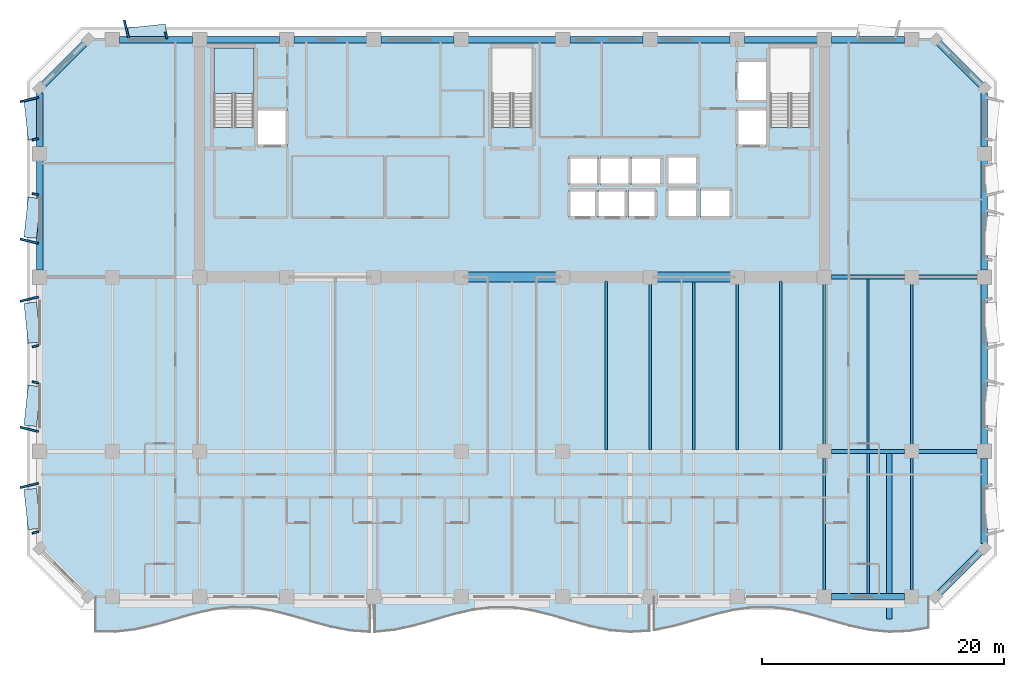
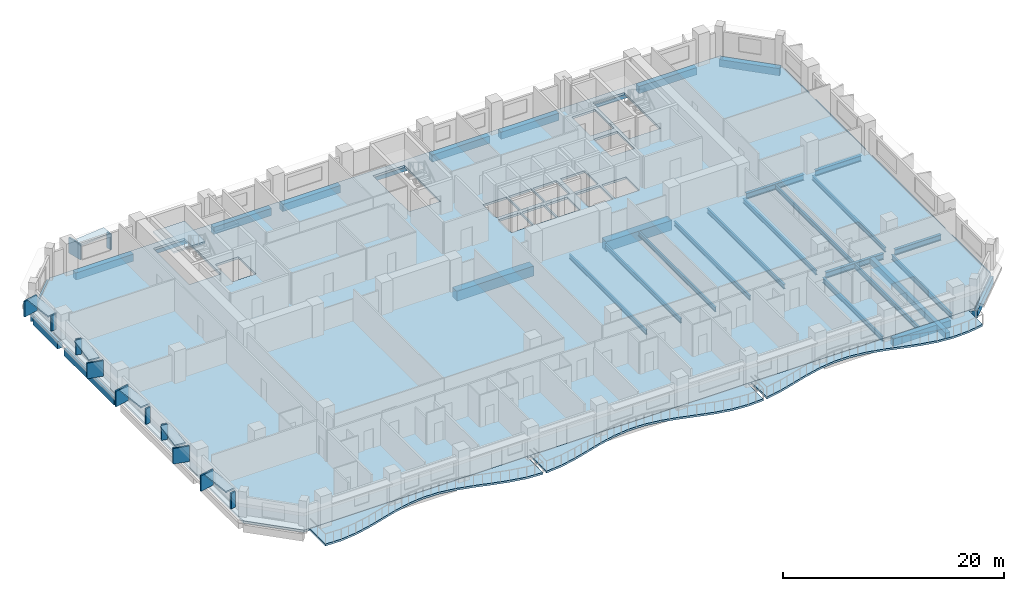
# One storey, part 2 of 15: 37 beams, 18 plates, 5 slabs, 1 element without a shape of its own.
"""IFC4 building model written with IfcOpenShell, lengths in metres."""

from ifc_helpers import new_model, si_unit, direction, frame, origin, origin_2d, place, context, subcontext, project, spatial, polyline, rectangle, i_section, outline, extrude, material, layer, layer_set, material_profile, profile_set, type_object, element, aggregate, save


model = new_model("IFC4")

# Units and contexts
model_context = context("Model", 3, precision=1e-05, world=origin(), true_north=direction((0.0, 1.0)))
body_context = subcontext(model_context, "Body", "Model", "MODEL_VIEW")
ifc_project = project(units=[si_unit("LENGTHUNIT", "METRE"), si_unit("AREAUNIT", "SQUARE_METRE"), si_unit("VOLUMEUNIT", "CUBIC_METRE"), si_unit("PLANEANGLEUNIT", "RADIAN"), si_unit("MASSUNIT", "GRAM", prefix="KILO")], contexts=[model_context])

# Site, building, storey
site_placement = place(None, origin())
site = spatial("IfcSite", under=ifc_project, at=site_placement, CompositionType="ELEMENT")
building_placement = place(site_placement, origin())
building = spatial("IfcBuilding", under=site, at=building_placement, Name="Kaelvorn Grand Hotel", CompositionType="ELEMENT")
storey_placement = place(building_placement, frame((0.0, 0.0, 146.75)))
storey = spatial("IfcBuildingStorey", under=building, at=storey_placement, Name="L35", CompositionType="ELEMENT", Elevation=146.75)

# Beams
ifc_material_1 = material(Name="Steel S355", Category="steel")
ifc_material_profile_1 = material_profile(ifc_material_1, i_section(OverallWidth=0.300048828125, OverallDepth=0.64990234375, WebThickness=0.01611328125, FlangeThickness=0.031005859375, FilletRadius=0.027099609375, at=origin_2d()), Name="HEB 650")
ifc_profile_set_1 = profile_set([ifc_material_profile_1], Name="Steel S355")
beam_type_1 = type_object("IfcBeamType", Name="BM-G-HEB650-S355", PredefinedType="BEAM", material=ifc_profile_set_1)
beam_1_placement = place(storey_placement, frame((68.385009765625, 15.0, -0.56494140625), z_axis=(1.0, 0.0, 0.0), x_axis=(0.0, 1.0, 0.0)))
element("IfcBeam", 1, at=beam_1_placement, inside=storey, type_object=beam_type_1, Name="L35 Primary Spine Steel Girder G-15 06", PredefinedType="BEAM", context=body_context, shape_type="SweptSolid", body=[
    extrude(i_section(OverallWidth=0.300048828125, OverallDepth=0.64990234375, WebThickness=0.01611328125, FlangeThickness=0.031005859375, FilletRadius=0.027099609375, at=origin_2d()), origin(), (0.0, 0.0, 1.0), 6.030029296875),
])
beam_2_placement = place(storey_placement, frame((75.5849609375, 15.0, -0.56494140625), z_axis=(1.0, 0.0, 0.0), x_axis=(0.0, 1.0, 0.0)))
element("IfcBeam", 2, at=beam_2_placement, inside=storey, type_object=beam_type_1, Name="L35 Primary Spine Steel Girder G-15 07", PredefinedType="BEAM", context=body_context, shape_type="SweptSolid", body=[
    extrude(i_section(OverallWidth=0.300048828125, OverallDepth=0.64990234375, WebThickness=0.01611328125, FlangeThickness=0.031005859375, FilletRadius=0.027099609375, at=origin_2d()), origin(), (0.0, 0.0, 1.0), 4.830078125),
])
beam_3_placement = place(storey_placement, frame((68.385009765625, 29.39990234375, -0.56494140625), z_axis=(1.0, 0.0, 0.0), x_axis=(0.0, 1.0, 0.0)))
element("IfcBeam", 3, at=beam_3_placement, inside=storey, type_object=beam_type_1, Name="L35 East Core Wing Steel Girder G-29E 01", PredefinedType="BEAM", context=body_context, shape_type="SweptSolid", body=[
    extrude(i_section(OverallWidth=0.300048828125, OverallDepth=0.64990234375, WebThickness=0.01611328125, FlangeThickness=0.031005859375, FilletRadius=0.027099609375, at=origin_2d()), origin(), (0.0, 0.0, 1.0), 6.030029296875),
])
beam_4_placement = place(storey_placement, frame((75.5849609375, 29.39990234375, -0.56494140625), z_axis=(1.0, 0.0, 0.0), x_axis=(0.0, 1.0, 0.0)))
element("IfcBeam", 4, at=beam_4_placement, inside=storey, type_object=beam_type_1, Name="L35 East Core Wing Steel Girder G-29E 02", PredefinedType="BEAM", context=body_context, shape_type="SweptSolid", body=[
    extrude(i_section(OverallWidth=0.300048828125, OverallDepth=0.64990234375, WebThickness=0.01611328125, FlangeThickness=0.031005859375, FilletRadius=0.027099609375, at=origin_2d()), origin(), (0.0, 0.0, 1.0), 4.830078125),
])
ifc_material_profile_2 = material_profile(ifc_material_1, i_section(OverallWidth=0.199951171875, OverallDepth=0.5, WebThickness=0.01025390625, FlangeThickness=0.01611328125, FilletRadius=0.02099609375, at=origin_2d()), Name="IPE 500")
ifc_profile_set_2 = profile_set([ifc_material_profile_2], Name="Steel S355")
beam_type_2 = type_object("IfcBeamType", Name="BM-J-IPE500-S355", PredefinedType="JOIST", material=ifc_profile_set_2)
beam_5_placement = place(storey_placement, frame((49.800048828125, 15.135009765625, -0.489990234375), z_axis=(0.0, 1.0, 0.0), x_axis=(-1.0, 0.0, 0.0)))
element("IfcBeam", 5, at=beam_5_placement, inside=storey, type_object=beam_type_2, Name="L35 Composite Floor Joist JM-14", PredefinedType="JOIST", context=body_context, shape_type="SweptSolid", body=[
    extrude(i_section(OverallWidth=0.199951171875, OverallDepth=0.5, WebThickness=0.01025390625, FlangeThickness=0.01611328125, FilletRadius=0.02099609375, at=origin_2d()), origin(), (0.0, 0.0, 1.0), 13.925048828125),
])
beam_6_placement = place(storey_placement, frame((53.39990234375, 15.135009765625, -0.489990234375), z_axis=(0.0, 1.0, 0.0), x_axis=(-1.0, 0.0, 0.0)))
element("IfcBeam", 6, at=beam_6_placement, inside=storey, type_object=beam_type_2, Name="L35 Composite Floor Joist JM-15", PredefinedType="JOIST", context=body_context, shape_type="SweptSolid", body=[
    extrude(i_section(OverallWidth=0.199951171875, OverallDepth=0.5, WebThickness=0.01025390625, FlangeThickness=0.01611328125, FilletRadius=0.02099609375, at=origin_2d()), origin(), (0.0, 0.0, 1.0), 13.679931640625),
])
beam_7_placement = place(storey_placement, frame((57.0, 15.135009765625, -0.489990234375), z_axis=(0.0, 1.0, 0.0), x_axis=(-1.0, 0.0, 0.0)))
element("IfcBeam", 7, at=beam_7_placement, inside=storey, type_object=beam_type_2, Name="L35 Composite Floor Joist JM-16", PredefinedType="JOIST", context=body_context, shape_type="SweptSolid", body=[
    extrude(i_section(OverallWidth=0.199951171875, OverallDepth=0.5, WebThickness=0.01025390625, FlangeThickness=0.01611328125, FilletRadius=0.02099609375, at=origin_2d()), origin(), (0.0, 0.0, 1.0), 13.925048828125),
])
beam_8_placement = place(storey_placement, frame((60.60009765625, 15.135009765625, -0.489990234375), z_axis=(0.0, 1.0, 0.0), x_axis=(-1.0, 0.0, 0.0)))
element("IfcBeam", 8, at=beam_8_placement, inside=storey, type_object=beam_type_2, Name="L35 Composite Floor Joist JM-17", PredefinedType="JOIST", context=body_context, shape_type="SweptSolid", body=[
    extrude(i_section(OverallWidth=0.199951171875, OverallDepth=0.5, WebThickness=0.01025390625, FlangeThickness=0.01611328125, FilletRadius=0.02099609375, at=origin_2d()), origin(), (0.0, 0.0, 1.0), 13.679931640625),
])
beam_9_placement = place(storey_placement, frame((64.199951171875, 15.135009765625, -0.489990234375), z_axis=(0.0, 1.0, 0.0), x_axis=(-1.0, 0.0, 0.0)))
element("IfcBeam", 9, at=beam_9_placement, inside=storey, type_object=beam_type_2, Name="L35 Composite Floor Joist JM-18", PredefinedType="JOIST", context=body_context, shape_type="SweptSolid", body=[
    extrude(i_section(OverallWidth=0.199951171875, OverallDepth=0.5, WebThickness=0.01025390625, FlangeThickness=0.01611328125, FilletRadius=0.02099609375, at=origin_2d()), origin(), (0.0, 0.0, 1.0), 13.925048828125),
])
beam_10_placement = place(storey_placement, frame((67.800048828125, 15.5849609375, -0.489990234375), z_axis=(0.0, 1.0, 0.0), x_axis=(-1.0, 0.0, 0.0)))
element("IfcBeam", 10, at=beam_10_placement, inside=storey, type_object=beam_type_2, Name="L35 Composite Floor Joist JM-19", PredefinedType="JOIST", context=body_context, shape_type="SweptSolid", body=[
    extrude(i_section(OverallWidth=0.199951171875, OverallDepth=0.5, WebThickness=0.01025390625, FlangeThickness=0.01611328125, FilletRadius=0.02099609375, at=origin_2d()), origin(), (0.0, 0.0, 1.0), 13.22998046875),
])
beam_11_placement = place(storey_placement, frame((71.39990234375, 15.135009765625, -0.489990234375), z_axis=(0.0, 1.0, 0.0), x_axis=(-1.0, 0.0, 0.0)))
element("IfcBeam", 11, at=beam_11_placement, inside=storey, type_object=beam_type_2, Name="L35 Composite Floor Joist JM-20", PredefinedType="JOIST", context=body_context, shape_type="SweptSolid", body=[
    extrude(i_section(OverallWidth=0.199951171875, OverallDepth=0.5, WebThickness=0.01025390625, FlangeThickness=0.01611328125, FilletRadius=0.02099609375, at=origin_2d()), origin(), (0.0, 0.0, 1.0), 14.1298828125),
])
beam_12_placement = place(storey_placement, frame((75.0, 15.5849609375, -0.489990234375), z_axis=(0.0, 1.0, 0.0), x_axis=(-1.0, 0.0, 0.0)))
element("IfcBeam", 12, at=beam_12_placement, inside=storey, type_object=beam_type_2, Name="L35 Composite Floor Joist JM-21", PredefinedType="JOIST", context=body_context, shape_type="SweptSolid", body=[
    extrude(i_section(OverallWidth=0.199951171875, OverallDepth=0.5, WebThickness=0.01025390625, FlangeThickness=0.01611328125, FilletRadius=0.02099609375, at=origin_2d()), origin(), (0.0, 0.0, 1.0), 13.22998046875),
])
ifc_material_profile_3 = material_profile(ifc_material_1, i_section(OverallWidth=0.2099609375, OverallDepth=0.550048828125, WebThickness=0.010986328125, FlangeThickness=0.01708984375, FilletRadius=0.02392578125, at=origin_2d()), Name="IPE 550")
ifc_profile_set_3 = profile_set([ifc_material_profile_3], Name="Steel S355")
beam_type_3 = type_object("IfcBeamType", Name="BM-J-IPE550-S355", PredefinedType="JOIST", material=ifc_profile_set_3)
beam_13_placement = place(storey_placement, frame((67.800048828125, 3.5849609375, -0.514892578125), z_axis=(0.0, 1.0, 0.0), x_axis=(-1.0, 0.0, 0.0)))
element("IfcBeam", 13, at=beam_13_placement, inside=storey, type_object=beam_type_3, Name="L35 Composite Floor Joist JS-19", PredefinedType="JOIST", context=body_context, shape_type="SweptSolid", body=[
    extrude(i_section(OverallWidth=0.2099609375, OverallDepth=0.550048828125, WebThickness=0.010986328125, FlangeThickness=0.01708984375, FilletRadius=0.02392578125, at=origin_2d()), origin(), (0.0, 0.0, 1.0), 10.830078125),
])
beam_14_placement = place(storey_placement, frame((71.39990234375, 3.260009765625, -0.514892578125), z_axis=(0.0, 1.0, 0.0), x_axis=(-1.0, 0.0, 0.0)))
element("IfcBeam", 14, at=beam_14_placement, inside=storey, type_object=beam_type_3, Name="L35 Composite Floor Joist JS-20", PredefinedType="JOIST", context=body_context, shape_type="SweptSolid", body=[
    extrude(i_section(OverallWidth=0.2099609375, OverallDepth=0.550048828125, WebThickness=0.010986328125, FlangeThickness=0.01708984375, FilletRadius=0.02392578125, at=origin_2d()), origin(), (0.0, 0.0, 1.0), 11.60498046875),
])
beam_15_placement = place(storey_placement, frame((75.0, 3.5849609375, -0.514892578125), z_axis=(0.0, 1.0, 0.0), x_axis=(-1.0, 0.0, 0.0)))
element("IfcBeam", 15, at=beam_15_placement, inside=storey, type_object=beam_type_3, Name="L35 Composite Floor Joist JS-21", PredefinedType="JOIST", context=body_context, shape_type="SweptSolid", body=[
    extrude(i_section(OverallWidth=0.2099609375, OverallDepth=0.550048828125, WebThickness=0.010986328125, FlangeThickness=0.01708984375, FilletRadius=0.02392578125, at=origin_2d()), origin(), (0.0, 0.0, 1.0), 10.830078125),
])
ifc_material_2 = material(Name="Concrete C60/75", Category="concrete")
ifc_material_profile_4 = material_profile(ifc_material_2, rectangle(XDim=0.800048828125, YDim=1.10009765625, at=origin_2d()), Name="RC LINTEL 800x1100")
ifc_profile_set_4 = profile_set([ifc_material_profile_4], Name="Concrete C60/75")
beam_type_4 = type_object("IfcBeamType", Name="BM-LIN-800x1100-C60", PredefinedType="LINTEL", material=ifc_profile_set_4)
beam_16_placement = place(storey_placement, frame((37.97998046875, 29.39990234375, -0.7900390625), z_axis=(1.0, 0.0, 0.0), x_axis=(0.0, 1.0, 0.0)))
element("IfcBeam", 16, at=beam_16_placement, inside=storey, type_object=beam_type_4, Name="L35 Rear-Core Coupling Lintel Beam CB1-02", PredefinedType="LINTEL", context=body_context, shape_type="SweptSolid", body=[
    extrude(rectangle(XDim=0.800048828125, YDim=1.10009765625, at=origin_2d()), origin(), (0.0, 0.0, 1.0), 8.0400390625),
])
beam_17_placement = place(storey_placement, frame((53.580078125, 29.39990234375, -0.7900390625), z_axis=(1.0, 0.0, 0.0), x_axis=(0.0, 1.0, 0.0)))
element("IfcBeam", 17, at=beam_17_placement, inside=storey, type_object=beam_type_4, Name="L35 Rear-Core Coupling Lintel Beam CB1-03", PredefinedType="LINTEL", context=body_context, shape_type="SweptSolid", body=[
    extrude(rectangle(XDim=0.800048828125, YDim=1.10009765625, at=origin_2d()), origin(), (0.0, 0.0, 1.0), 6.83984375),
])
ifc_material_3 = material(Name="Concrete C40/50", Category="concrete")
ifc_material_profile_5 = material_profile(ifc_material_3, rectangle(XDim=0.449951171875, YDim=0.64990234375, at=origin_2d()), Name="RC RIB 450x650")
ifc_profile_set_5 = profile_set([ifc_material_profile_5], Name="Concrete C40/50")
beam_type_5 = type_object("IfcBeamType", Name="BM-RIB-450x650-C40", PredefinedType="SPANDREL", material=ifc_profile_set_5)
beam_18_placement = place(storey_placement, frame((73.161865234375, 1.14990234375, -0.544921875), z_axis=(0.0, 1.0, 0.0), x_axis=(-1.0, 0.0, 0.0)))
element("IfcBeam", 18, at=beam_18_placement, inside=storey, type_object=beam_type_5, Name="L35 Cantilevered Balcony Back-Span Rib RB1-3", PredefinedType="SPANDREL", context=body_context, shape_type="SweptSolid", body=[
    extrude(rectangle(XDim=0.449951171875, YDim=0.64990234375, at=origin_2d()), origin(), (0.0, 0.0, 1.0), 13.715087890625),
])
ifc_material_4 = material(Name="Concrete C50/60", Category="concrete")
ifc_material_profile_6 = material_profile(ifc_material_4, rectangle(XDim=0.550048828125, YDim=0.800048828125, at=origin_2d()), Name="RC SPANDREL 550x800")
ifc_profile_set_6 = profile_set([ifc_material_profile_6], Name="Concrete C50/60")
beam_type_6 = type_object("IfcBeamType", Name="BM-SP-550x800-C50", PredefinedType="SPANDREL", material=ifc_profile_set_6)
for number, where, z_axis, x_axis, name in (
    (19, (68.385009765625, 3.0, -0.639892578125), (1.0, 0.0, 0.0), (0.0, 1.0, 0.0), "L35 South Perimeter Spandrel 10"),
    (20, (9.5849609375, 49.0, -0.639892578125), (1.0, 0.0, 0.0), (0.0, 1.0, 0.0), "L35 North Perimeter Spandrel 02"),
    (21, (16.784912109375, 49.0, -0.639892578125), (1.0, 0.0, 0.0), (0.0, 1.0, 0.0), "L35 North Perimeter Spandrel 03"),
):
    element("IfcBeam", number, at=place(storey_placement, frame(where, z_axis=z_axis, x_axis=x_axis)), inside=storey, type_object=beam_type_6, Name=name, PredefinedType="SPANDREL", context=body_context, shape_type="SweptSolid", body=[
        extrude(rectangle(XDim=0.550048828125, YDim=0.800048828125, at=origin_2d()), origin(), (0.0, 0.0, 1.0), 6.030029296875),
    ])
beam_19_placement = place(storey_placement, frame((23.985107421875, 49.0, -0.639892578125), z_axis=(1.0, 0.0, 0.0), x_axis=(0.0, 1.0, 0.0)))
element("IfcBeam", 22, at=beam_19_placement, inside=storey, type_object=beam_type_6, Name="L35 North Perimeter Spandrel 04", PredefinedType="SPANDREL", context=body_context, shape_type="SweptSolid", body=[
    extrude(rectangle(XDim=0.550048828125, YDim=0.800048828125, at=origin_2d()), origin(), (0.0, 0.0, 1.0), 6.02978515625),
])
beam_20_placement = place(storey_placement, frame((31.18505859375, 49.0, -0.639892578125), z_axis=(1.0, 0.0, 0.0), x_axis=(0.0, 1.0, 0.0)))
element("IfcBeam", 23, at=beam_20_placement, inside=storey, type_object=beam_type_6, Name="L35 North Perimeter Spandrel 05", PredefinedType="SPANDREL", context=body_context, shape_type="SweptSolid", body=[
    extrude(rectangle(XDim=0.550048828125, YDim=0.800048828125, at=origin_2d()), origin(), (0.0, 0.0, 1.0), 6.030029296875),
])
beam_21_placement = place(storey_placement, frame((38.385009765625, 49.0, -0.639892578125), z_axis=(1.0, 0.0, 0.0), x_axis=(0.0, 1.0, 0.0)))
element("IfcBeam", 24, at=beam_21_placement, inside=storey, type_object=beam_type_6, Name="L35 North Perimeter Spandrel 06", PredefinedType="SPANDREL", context=body_context, shape_type="SweptSolid", body=[
    extrude(rectangle(XDim=0.550048828125, YDim=0.800048828125, at=origin_2d()), origin(), (0.0, 0.0, 1.0), 7.22998046875),
])
beam_22_placement = place(storey_placement, frame((46.784912109375, 49.0, -0.639892578125), z_axis=(1.0, 0.0, 0.0), x_axis=(0.0, 1.0, 0.0)))
element("IfcBeam", 25, at=beam_22_placement, inside=storey, type_object=beam_type_6, Name="L35 North Perimeter Spandrel 07", PredefinedType="SPANDREL", context=body_context, shape_type="SweptSolid", body=[
    extrude(rectangle(XDim=0.550048828125, YDim=0.800048828125, at=origin_2d()), origin(), (0.0, 0.0, 1.0), 6.030029296875),
])
beam_23_placement = place(storey_placement, frame((53.985107421875, 49.0, -0.639892578125), z_axis=(1.0, 0.0, 0.0), x_axis=(0.0, 1.0, 0.0)))
element("IfcBeam", 26, at=beam_23_placement, inside=storey, type_object=beam_type_6, Name="L35 North Perimeter Spandrel 08", PredefinedType="SPANDREL", context=body_context, shape_type="SweptSolid", body=[
    extrude(rectangle(XDim=0.550048828125, YDim=0.800048828125, at=origin_2d()), origin(), (0.0, 0.0, 1.0), 6.02978515625),
])
for number, where, z_axis, x_axis, name in (
    (27, (61.18505859375, 49.0, -0.639892578125), (1.0, 0.0, 0.0), (0.0, 1.0, 0.0), "L35 North Perimeter Spandrel 09"),
    (28, (68.385009765625, 49.0, -0.639892578125), (1.0, 0.0, 0.0), (0.0, 1.0, 0.0), "L35 North Perimeter Spandrel 10"),
):
    element("IfcBeam", number, at=place(storey_placement, frame(where, z_axis=z_axis, x_axis=x_axis)), inside=storey, type_object=beam_type_6, Name=name, PredefinedType="SPANDREL", context=body_context, shape_type="SweptSolid", body=[
        extrude(rectangle(XDim=0.550048828125, YDim=0.800048828125, at=origin_2d()), origin(), (0.0, 0.0, 1.0), 6.030029296875),
    ])
beam_24_placement = place(storey_placement, frame((3.0, 29.985107421875, -0.639892578125), z_axis=(0.0, 1.0, 0.0), x_axis=(-1.0, 0.0, 0.0)))
element("IfcBeam", 29, at=beam_24_placement, inside=storey, type_object=beam_type_6, Name="L35 West Perimeter Spandrel 03", PredefinedType="SPANDREL", context=body_context, shape_type="SweptSolid", body=[
    extrude(rectangle(XDim=0.550048828125, YDim=0.800048828125, at=origin_2d()), origin(), (0.0, 0.0, 1.0), 9.02978515625),
])
beam_25_placement = place(storey_placement, frame((3.0, 40.18505859375, -0.639892578125), z_axis=(0.0, 1.0, 0.0), x_axis=(-1.0, 0.0, 0.0)))
element("IfcBeam", 30, at=beam_25_placement, inside=storey, type_object=beam_type_6, Name="L35 West Perimeter Spandrel 04", PredefinedType="SPANDREL", context=body_context, shape_type="SweptSolid", body=[
    extrude(rectangle(XDim=0.550048828125, YDim=0.800048828125, at=origin_2d()), origin(), (0.0, 0.0, 1.0), 4.409912109375),
])
beam_26_placement = place(storey_placement, frame((81.0, 7.405029296875, -0.639892578125), z_axis=(0.0, 1.0, 0.0), x_axis=(-1.0, 0.0, 0.0)))
element("IfcBeam", 31, at=beam_26_placement, inside=storey, type_object=beam_type_6, Name="L35 East Perimeter Spandrel 01", PredefinedType="SPANDREL", context=body_context, shape_type="SweptSolid", body=[
    extrude(rectangle(XDim=0.550048828125, YDim=0.800048828125, at=origin_2d()), origin(), (0.0, 0.0, 1.0), 7.010009765625),
])
beam_27_placement = place(storey_placement, frame((81.0, 15.5849609375, -0.639892578125), z_axis=(0.0, 1.0, 0.0), x_axis=(-1.0, 0.0, 0.0)))
element("IfcBeam", 32, at=beam_27_placement, inside=storey, type_object=beam_type_6, Name="L35 East Perimeter Spandrel 02", PredefinedType="SPANDREL", context=body_context, shape_type="SweptSolid", body=[
    extrude(rectangle(XDim=0.550048828125, YDim=0.800048828125, at=origin_2d()), origin(), (0.0, 0.0, 1.0), 13.22998046875),
])
beam_28_placement = place(storey_placement, frame((81.0, 29.985107421875, -0.639892578125), z_axis=(0.0, 1.0, 0.0), x_axis=(-1.0, 0.0, 0.0)))
element("IfcBeam", 33, at=beam_28_placement, inside=storey, type_object=beam_type_6, Name="L35 East Perimeter Spandrel 03", PredefinedType="SPANDREL", context=body_context, shape_type="SweptSolid", body=[
    extrude(rectangle(XDim=0.550048828125, YDim=0.800048828125, at=origin_2d()), origin(), (0.0, 0.0, 1.0), 9.02978515625),
])
beam_29_placement = place(storey_placement, frame((81.0, 40.18505859375, -0.639892578125), z_axis=(0.0, 1.0, 0.0), x_axis=(-1.0, 0.0, 0.0)))
element("IfcBeam", 34, at=beam_29_placement, inside=storey, type_object=beam_type_6, Name="L35 East Perimeter Spandrel 04", PredefinedType="SPANDREL", context=body_context, shape_type="SweptSolid", body=[
    extrude(rectangle(XDim=0.550048828125, YDim=0.800048828125, at=origin_2d()), origin(), (0.0, 0.0, 1.0), 4.409912109375),
])
for number, where, z_axis, x_axis, name in (
    (35, (77.0, 3.0, -0.639892578125), (0.707106781187, 0.707106781187, 0.0), (-0.707106781187, 0.707106781187, 0.0), "L35 Chamfer Spandrel Beam 1"),
    (36, (81.0, 45.0, -0.639892578125), (-0.707106781187, 0.707106781187, 0.0), (-0.707106781187, -0.707106781187, 0.0), "L35 Chamfer Spandrel Beam 2"),
    (37, (7.0, 49.0, -0.639892578125), (-0.707106781187, -0.707106781187, 0.0), (0.707106781187, -0.707106781187, 0.0), "L35 Chamfer Spandrel Beam 3"),
):
    element("IfcBeam", number, at=place(storey_placement, frame(where, z_axis=z_axis, x_axis=x_axis)), inside=storey, type_object=beam_type_6, Name=name, PredefinedType="SPANDREL", context=body_context, shape_type="SweptSolid", body=[
        extrude(rectangle(XDim=0.550048828125, YDim=0.800048828125, at=origin_2d()), origin(), (0.0, 0.0, 1.0), 5.65673828125),
    ])

# Plates
ifc_material_5 = material(Name="Precast concrete C45/55", Category="concrete")
ifc_layer_1 = layer(ifc_material_5, 0.159912109375)
ifc_layer_set_1 = layer_set([ifc_layer_1], Name="Precast concrete C45/55")
plate_type_1 = type_object("IfcPlateType", Name="PL-FRAME-DEEP-1550", PredefinedType="USERDEFINED", material=ifc_layer_set_1)
for number, where, z_axis, x_axis, name in (
    (38, (2.14501953125, 12.18994140625, 0.81494140625), (0.0, 0.0, 1.0), (-0.233445363856, 0.972369920398, 0.0), "L35 Tilted Precast Window Frame Fin R-W01"),
    (39, (2.14501953125, 16.824951171875, 0.81494140625), (0.0, 0.0, 1.0), (0.233445363856, 0.972369920398, 0.0), "L35 Tilted Precast Window Frame Fin L-W02"),
    (40, (2.14501953125, 27.574951171875, 0.81494140625), (0.0, 0.0, 1.0), (-0.233445363856, 0.972369920398, 0.0), "L35 Tilted Precast Window Frame Fin R-W03"),
    (41, (2.14501953125, 32.360107421875, 0.81494140625), (0.0, 0.0, 1.0), (0.233445363856, 0.972369920398, 0.0), "L35 Tilted Precast Window Frame Fin L-W04"),
    (42, (2.14501953125, 44.054931640625, 0.740234375), (0.0, 0.0, 1.0), (-0.233445363856, 0.972369920398, 0.0), "L35 Tilted Precast Window Frame Fin R-W05"),
    (43, (10.159912109375, 49.85498046875, 0.740234375), (0.0, 0.0, 1.0), (0.972369920398, 0.233445363856, 0.0), "L35 Tilted Precast Window Frame Fin L-N01"),
):
    element("IfcPlate", number, at=place(storey_placement, frame(where, z_axis=z_axis, x_axis=x_axis)), inside=storey, type_object=plate_type_1, Name=name, ObjectType="FLANGE_PLATE", PredefinedType="USERDEFINED", context=body_context, shape_type="SweptSolid", body=[
        extrude(rectangle(XDim=0.159912109375, YDim=1.550048828125, at=origin_2d()), origin(), (0.0, 0.0, 1.0), 1.719970703125),
    ])
ifc_layer_2 = layer(ifc_material_5, 0.159912109375)
ifc_layer_set_2 = layer_set([ifc_layer_2], Name="Precast concrete C45/55")
plate_type_2 = type_object("IfcPlateType", Name="PL-FRAME-HEAD-1050", PredefinedType="USERDEFINED", material=ifc_layer_set_2)
for number, where, z_axis, x_axis, name in (
    (44, (2.39501953125, 10.25, 2.5), (0.0, 0.0, 1.0), (-0.105830199459, 0.994384215926, 0.0), "L35 Precast Window Frame Head Hood H-W01"),
    (45, (2.39501953125, 18.764892578125, 2.5), (0.0, 0.0, 1.0), (0.105830199459, 0.994384215926, 0.0), "L35 Precast Window Frame Head Hood H-W02"),
    (46, (2.39501953125, 25.635009765625, 2.5), (0.0, 0.0, 1.0), (-0.105830199459, 0.994384215926, 0.0), "L35 Precast Window Frame Head Hood H-W03"),
    (47, (2.39501953125, 34.300048828125, 2.5), (0.0, 0.0, 1.0), (0.105830199459, 0.994384215926, 0.0), "L35 Precast Window Frame Head Hood H-W04"),
    (48, (2.39501953125, 42.4150390625, 2.35009765625), (0.0, 0.0, 1.0), (-0.105830199459, 0.994384215926, 0.0), "L35 Precast Window Frame Head Hood H-W05"),
    (49, (11.800048828125, 49.60498046875, 2.35009765625), (0.0, 0.0, 1.0), (0.994384215926, 0.105830199459, 0.0), "L35 Precast Window Frame Head Hood H-N01"),
):
    element("IfcPlate", number, at=place(storey_placement, frame(where, z_axis=z_axis, x_axis=x_axis)), inside=storey, type_object=plate_type_2, Name=name, ObjectType="FLANGE_PLATE", PredefinedType="USERDEFINED", context=body_context, shape_type="SweptSolid", body=[
        extrude(rectangle(XDim=3.320068359375, YDim=1.050048828125, at=origin_2d()), origin(), (0.0, 0.0, 1.0), 0.159912109375),
    ])
ifc_layer_3 = layer(ifc_material_5, 0.159912109375)
ifc_layer_set_3 = layer_set([ifc_layer_3], Name="Precast concrete C45/55")
plate_type_3 = type_object("IfcPlateType", Name="PL-FRAME-SHAL-550", PredefinedType="USERDEFINED", material=ifc_layer_set_3)
for number, where, z_axis, x_axis, name in (
    (50, (2.64501953125, 8.31005859375, 0.81494140625), (0.0, 0.0, 1.0), (-0.233445363856, 0.972369920398, 0.0), "L35 Tilted Precast Window Frame Fin L-W01"),
    (51, (2.64501953125, 20.705078125, 0.81494140625), (0.0, 0.0, 1.0), (0.233445363856, 0.972369920398, 0.0), "L35 Tilted Precast Window Frame Fin R-W02"),
    (52, (2.64501953125, 23.695068359375, 0.81494140625), (0.0, 0.0, 1.0), (-0.233445363856, 0.972369920398, 0.0), "L35 Tilted Precast Window Frame Fin L-W03"),
    (53, (2.64501953125, 36.239990234375, 0.81494140625), (0.0, 0.0, 1.0), (0.233445363856, 0.972369920398, 0.0), "L35 Tilted Precast Window Frame Fin R-W04"),
    (54, (2.64501953125, 40.77490234375, 0.740234375), (0.0, 0.0, 1.0), (-0.233445363856, 0.972369920398, 0.0), "L35 Tilted Precast Window Frame Fin L-W05"),
    (55, (13.43994140625, 49.35498046875, 0.740234375), (0.0, 0.0, 1.0), (0.972369920398, 0.233445363856, 0.0), "L35 Tilted Precast Window Frame Fin R-N01"),
):
    element("IfcPlate", number, at=place(storey_placement, frame(where, z_axis=z_axis, x_axis=x_axis)), inside=storey, type_object=plate_type_3, Name=name, ObjectType="FLANGE_PLATE", PredefinedType="USERDEFINED", context=body_context, shape_type="SweptSolid", body=[
        extrude(rectangle(XDim=0.159912109375, YDim=0.550048828125, at=origin_2d()), origin(), (0.0, 0.0, 1.0), 1.719970703125),
    ])

# Slabs
ifc_layer_4 = layer(ifc_material_3, 0.219970703125)
ifc_layer_set_4 = layer_set([ifc_layer_4], Name="Concrete C40/50")
slab_type_1 = type_object("IfcSlabType", Name="SLB-BALC-220-C40", PredefinedType="FLOOR", material=ifc_layer_set_4)
slab_1_placement = place(storey_placement, frame((0.0, 0.0, -0.219970703125)))
element("IfcSlab", 56, at=slab_1_placement, inside=storey, type_object=slab_type_1, Name="L35 Scalloped Wave Balcony Slab 1", PredefinedType="FLOOR", context=body_context, shape_type="SweptSolid", body=[
    extrude(outline(polyline([(7.60009765625, 0.150146484375), (9.218994140625, 0.112548828125), (10.838134765625, 0.29541015625), (12.45703125, 0.658935546875), (14.076171875, 1.123779296875), (15.6953125, 1.589111328125), (17.314208984375, 1.953125), (18.933349609375, 2.136962890625), (20.552490234375, 2.1005859375), (22.17138671875, 1.8515625), (23.79052734375, 1.4443359375), (25.409423828125, 0.9677734375), (27.028564453125, 0.525390625), (28.647705078125, 0.21337890625), (30.2666015625, 0.10009765625), (30.2666015625, 3.0), (7.60009765625, 3.0), (7.60009765625, 0.150146484375)])), origin(), (0.0, 0.0, 1.0), 0.219970703125),
])
slab_2_placement = place(storey_placement, frame((0.0, 0.0, -0.219970703125)))
element("IfcSlab", 57, at=slab_2_placement, inside=storey, type_object=slab_type_1, Name="L35 Scalloped Wave Balcony Slab 2", PredefinedType="FLOOR", context=body_context, shape_type="SweptSolid", body=[
    extrude(outline(polyline([(30.666748046875, 0.1064453125), (32.28564453125, 0.26953125), (33.90478515625, 0.618896484375), (35.52392578125, 1.078369140625), (37.142822265625, 1.548095703125), (38.761962890625, 1.92578125), (40.380859375, 2.12890625), (42.0, 2.113525390625), (43.619140625, 1.8828125), (45.238037109375, 1.4873046875), (46.857177734375, 1.0126953125), (48.47607421875, 0.562744140625), (50.09521484375, 0.235107421875), (51.71435546875, 0.10107421875), (53.333251953125, 0.190185546875), (53.333251953125, 3.0), (30.666748046875, 3.0), (30.666748046875, 0.1064453125)])), origin(), (0.0, 0.0, 1.0), 0.219970703125),
])
slab_3_placement = place(storey_placement, frame((0.0, 0.0, -0.219970703125)))
element("IfcSlab", 58, at=slab_3_placement, inside=storey, type_object=slab_type_1, Name="L35 Scalloped Wave Balcony Slab 3", PredefinedType="FLOOR", context=body_context, shape_type="SweptSolid", body=[
    extrude(outline(polyline([(53.7333984375, 0.245361328125), (55.352294921875, 0.579833984375), (56.971435546875, 1.033203125), (58.590576171875, 1.50634765625), (60.20947265625, 1.896484375), (61.82861328125, 2.11865234375), (63.447509765625, 2.12451171875), (65.066650390625, 1.912841796875), (66.685791015625, 1.529296875), (68.3046875, 1.05810546875), (69.923828125, 0.601318359375), (71.54296875, 0.258544921875), (73.161865234375, 0.1044921875), (74.781005859375, 0.172607421875), (76.39990234375, 0.447998046875), (76.39990234375, 3.0), (53.7333984375, 3.0), (53.7333984375, 0.245361328125)])), origin(), (0.0, 0.0, 1.0), 0.219970703125),
])
ifc_layer_5 = layer(ifc_material_3, 0.239990234375)
ifc_layer_set_5 = layer_set([ifc_layer_5], Name="Concrete C40/50")
slab_type_2 = type_object("IfcSlabType", Name="SLB-FLR-240-C40", PredefinedType="FLOOR", material=ifc_layer_set_5)
slab_4_placement = place(storey_placement, frame((0.0, 0.0, -0.239990234375)))
element("IfcSlab", 59, at=slab_4_placement, inside=storey, type_object=slab_type_2, Name="L35 Indoor Suspended Floor Slab", PredefinedType="FLOOR", context=body_context, shape_type="SweptSolid", body=[
    extrude(outline(polyline([(7.0, 3.0), (77.0, 3.0), (81.0, 7.0), (81.0, 45.0), (77.0, 49.0), (7.0, 49.0), (3.0, 45.0), (3.0, 7.0), (7.0, 3.0)]), holes=[polyline([(17.39990234375, 41.760009765625), (17.39990234375, 48.300048828125), (20.679931640625, 48.300048828125), (20.679931640625, 41.760009765625), (17.39990234375, 41.760009765625)]), polyline([(40.360107421875, 41.760009765625), (40.360107421875, 48.300048828125), (43.639892578125, 48.300048828125), (43.639892578125, 41.760009765625), (40.360107421875, 41.760009765625)]), polyline([(63.320068359375, 41.760009765625), (63.320068359375, 48.300048828125), (66.60009765625, 48.300048828125), (66.60009765625, 41.760009765625), (63.320068359375, 41.760009765625)]), polyline([(46.699951171875, 34.300048828125), (46.699951171875, 36.60009765625), (49.0, 36.60009765625), (49.0, 34.300048828125), (46.699951171875, 34.300048828125)]), polyline([(49.14990234375, 34.300048828125), (49.14990234375, 36.60009765625), (51.449951171875, 36.60009765625), (51.449951171875, 34.300048828125), (49.14990234375, 34.300048828125)]), polyline([(51.60009765625, 34.300048828125), (51.60009765625, 36.60009765625), (53.89990234375, 36.60009765625), (53.89990234375, 34.300048828125), (51.60009765625, 34.300048828125)]), polyline([(46.699951171875, 37.0), (46.699951171875, 39.35009765625), (49.14990234375, 39.35009765625), (49.14990234375, 37.0), (46.699951171875, 37.0)]), polyline([(49.300048828125, 37.0), (49.300048828125, 39.35009765625), (51.75, 39.35009765625), (51.75, 37.0), (49.300048828125, 37.0)]), polyline([(51.89990234375, 37.0), (51.89990234375, 39.35009765625), (54.35009765625, 39.35009765625), (54.35009765625, 37.0), (51.89990234375, 37.0)]), polyline([(54.800048828125, 34.300048828125), (54.800048828125, 36.699951171875), (57.35009765625, 36.699951171875), (57.35009765625, 34.300048828125), (54.800048828125, 34.300048828125)]), polyline([(57.550048828125, 34.300048828125), (57.550048828125, 36.699951171875), (60.10009765625, 36.699951171875), (60.10009765625, 34.300048828125), (57.550048828125, 34.300048828125)]), polyline([(54.800048828125, 37.0), (54.800048828125, 39.39990234375), (57.35009765625, 39.39990234375), (57.35009765625, 37.0), (54.800048828125, 37.0)]), polyline([(21.0, 40.199951171875), (21.0, 43.300048828125), (23.449951171875, 43.300048828125), (23.449951171875, 40.199951171875), (21.0, 40.199951171875)]), polyline([(60.550048828125, 40.199951171875), (60.550048828125, 43.300048828125), (63.0, 43.300048828125), (63.0, 40.199951171875), (60.550048828125, 40.199951171875)]), polyline([(60.550048828125, 43.89990234375), (60.550048828125, 47.300048828125), (63.0, 47.300048828125), (63.0, 43.89990234375), (60.550048828125, 43.89990234375)])]), origin(), (0.0, 0.0, 1.0), 0.239990234375),
])

# Stair, slab
stair_type = type_object("IfcStairType", Name="STR-DOG-1560-R08", PredefinedType="HALF_TURN_STAIR", material=ifc_material_3)
stair_placement = place(storey_placement, origin())
stair = element("IfcStair", 60, at=stair_placement, inside=storey, type_object=stair_type, Name="L35 West Core Exit Stair ST1", PredefinedType="HALF_TURN_STAIR")
ifc_layer_6 = layer(ifc_material_3, 0.199951171875)
ifc_layer_set_6 = layer_set([ifc_layer_6], Name="Concrete C40/50")
slab_type_3 = type_object("IfcSlabType", Name="SLB-LAND-200-C40", PredefinedType="LANDING", material=ifc_layer_set_6)
slab_5_placement = place(storey_placement, frame((0.0, 0.0, 1.699951171875)))
slab_5 = element("IfcSlab", 61, at=slab_5_placement, type_object=slab_type_3, Name="ST1 landing 1", PredefinedType="LANDING", context=body_context, shape_type="SweptSolid", body=[
    extrude(outline(polyline([(20.679931640625, 44.56005859375), (20.679931640625, 48.300048828125), (17.39990234375, 48.300048828125), (17.39990234375, 44.56005859375), (20.679931640625, 44.56005859375)])), origin(), (0.0, 0.0, 1.0), 0.199951171875),
])
aggregate(stair, [slab_5])

save(model, "model.ifc")
